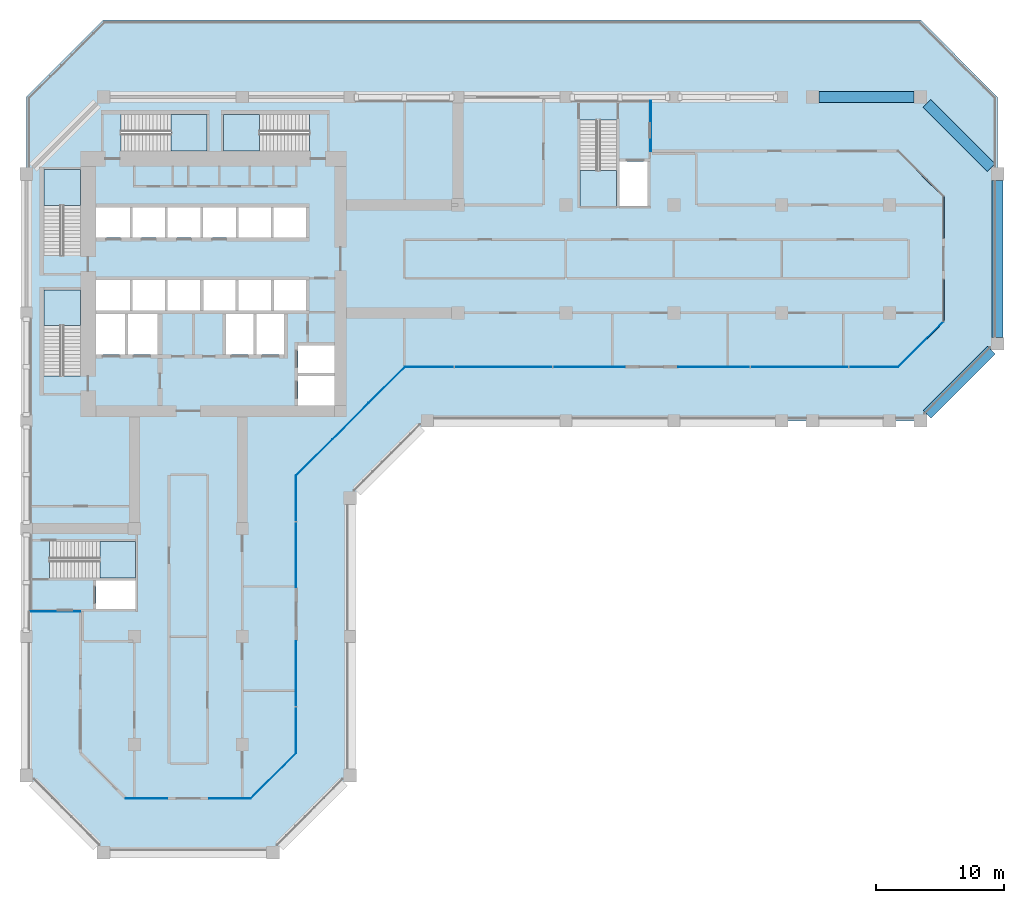
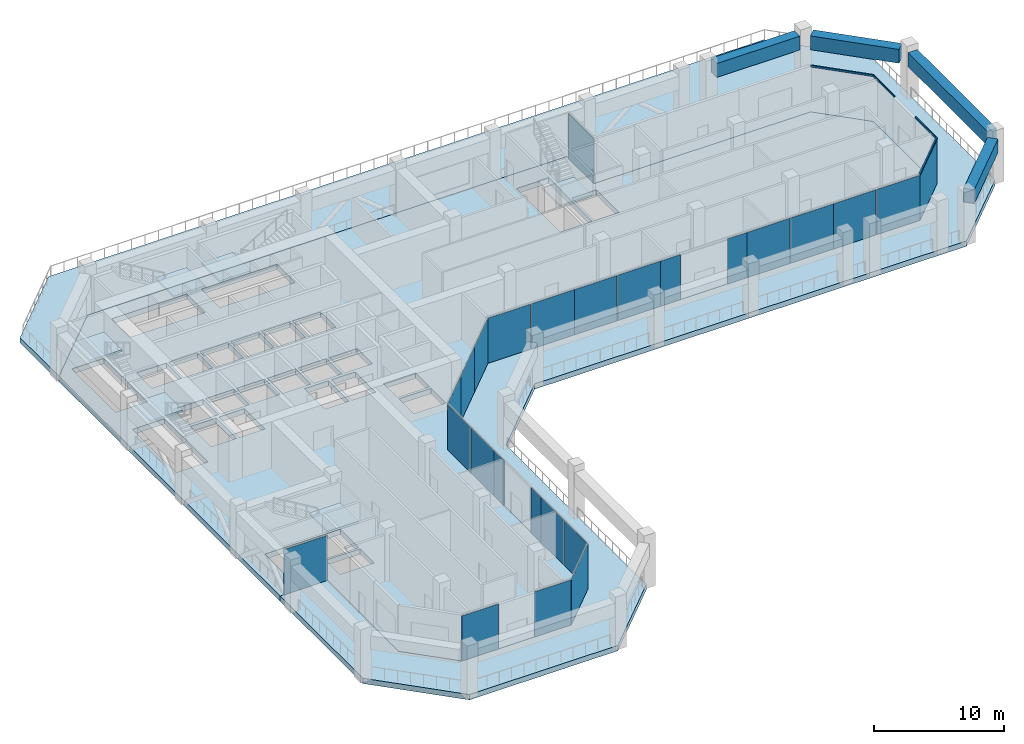
# One storey, part 5 of 19: 25 plates, 8 slabs, 4 beams, 4 members, 16 elements without a shape of their own.
"""IFC4 building model written with IfcOpenShell, lengths in metres."""

from ifc_helpers import new_model, si_unit, direction, frame, origin, origin_2d, place, context, subcontext, project, spatial, polyline, rectangle, outline, extrude, material, layer, layer_set, material_profile, profile_set, type_object, element, aggregate, save


model = new_model("IFC4")

# Units and contexts
model_context = context("Model", 3, precision=1e-05, world=origin(), true_north=direction((0.0, 1.0)))
body_context = subcontext(model_context, "Body", "Model", "MODEL_VIEW")
ifc_project = project(units=[si_unit("LENGTHUNIT", "METRE"), si_unit("AREAUNIT", "SQUARE_METRE"), si_unit("VOLUMEUNIT", "CUBIC_METRE"), si_unit("PLANEANGLEUNIT", "RADIAN"), si_unit("MASSUNIT", "GRAM", prefix="KILO")], contexts=[model_context])

# Site, building, storey
site_placement = place(None, origin())
site = spatial("IfcSite", under=ifc_project, at=site_placement, CompositionType="ELEMENT")
building_placement = place(site_placement, origin())
building = spatial("IfcBuilding", under=site, at=building_placement, Name="Kawkab Arch Medical Tower", CompositionType="ELEMENT")
storey_placement = place(building_placement, frame((0.0, 0.0, 153.39990234375)))
storey = spatial("IfcBuildingStorey", under=building, at=storey_placement, Name="L35", CompositionType="ELEMENT", Elevation=153.39990234375)

# Curtain wall, member
ifc_material_1 = material(Name="Bronze anodised aluminium curtain wall frame", Category="aluminium")
ifc_layer_1 = layer(ifc_material_1, 0.159912109375)
ifc_layer_set_1 = layer_set([ifc_layer_1], Name="Bronze anodised aluminium curtain wall frame")
curtain_wall_type = type_object("IfcCurtainWallType", Name="CW4 refuge floor fire-protected glazing", PredefinedType="NOTDEFINED", material=ifc_layer_set_1)
placement_1 = place(storey_placement, origin())
curtain_wall_1 = element("IfcCurtainWall", 1, at=placement_1, inside=storey, type_object=curtain_wall_type, Name="CW4 Refuge floor fire-protected glazing R12", PredefinedType="NOTDEFINED")
ifc_material_2 = material(Name="Bronze anodised aluminium curtain wall frame", Category="aluminium")
ifc_material_profile_1 = material_profile(ifc_material_2, rectangle(XDim=0.080078125, YDim=0.159912109375, at=origin_2d()), Name="AL 80x160")
ifc_profile_set_1 = profile_set([ifc_material_profile_1], Name="Bronze anodised aluminium curtain wall frame")
member_type = type_object("IfcMemberType", Name="CW4 transom 160 x 80", PredefinedType="USERDEFINED", material=ifc_profile_set_1)
member_1_placement = place(storey_placement, frame((67.860107421875, -21.0, 4.320068359375), z_axis=(0.707082396933, 0.707131164599, 0.0), x_axis=(-0.707131164599, 0.707082396933, 0.0)))
member_1 = element("IfcMember", 2, at=member_1_placement, type_object=member_type, Name="CW4 transom 1", ObjectType="TRANSOM", PredefinedType="USERDEFINED", context=body_context, shape_type="SweptSolid", body=[
    extrude(rectangle(XDim=0.080078125, YDim=0.159912109375, at=origin_2d()), origin(), (0.0, 0.0, 1.0), 5.006103515625),
])

# Curtain wall, members
curtain_wall_2 = element("IfcCurtainWall", 3, at=placement_1, inside=storey, type_object=curtain_wall_type, Name="CW4 Refuge floor fire-protected glazing R13", PredefinedType="NOTDEFINED")
member_2_placement = place(storey_placement, frame((71.40087890625, -17.4599609375, 4.320068359375), z_axis=(0.0, 1.0, 0.0), x_axis=(-1.0, 0.0, 0.0)))
member_2 = element("IfcMember", 4, at=member_2_placement, type_object=member_type, Name="CW4 transom 1", ObjectType="TRANSOM", PredefinedType="USERDEFINED", context=body_context, shape_type="SweptSolid", body=[
    extrude(rectangle(XDim=0.080078125, YDim=0.159912109375, at=origin_2d()), origin(), (0.0, 0.0, 1.0), 3.239990234375),
])
member_3_placement = place(storey_placement, frame((71.40087890625, -10.97998046875, 4.320068359375), z_axis=(0.0, 1.0, 0.0), x_axis=(-1.0, 0.0, 0.0)))
member_3 = element("IfcMember", 5, at=member_3_placement, type_object=member_type, Name="CW4 transom 3", ObjectType="TRANSOM", PredefinedType="USERDEFINED", context=body_context, shape_type="SweptSolid", body=[
    extrude(rectangle(XDim=0.080078125, YDim=0.159912109375, at=origin_2d()), origin(), (0.0, 0.0, 1.0), 3.239990234375),
])
aggregate(curtain_wall_2, [member_2, member_3])

# Curtain wall, member
curtain_wall_3 = element("IfcCurtainWall", 6, at=placement_1, inside=storey, type_object=curtain_wall_type, Name="CW4 Refuge floor fire-protected glazing R14", PredefinedType="NOTDEFINED")
member_4_placement = place(storey_placement, frame((71.39990234375, -7.739990234375, 4.320068359375), z_axis=(-0.707082396933, 0.707131164599, 0.0), x_axis=(-0.707131164599, -0.707082396933, 0.0)))
member_4 = element("IfcMember", 7, at=member_4_placement, type_object=member_type, Name="CW4 transom 1", ObjectType="TRANSOM", PredefinedType="USERDEFINED", context=body_context, shape_type="SweptSolid", body=[
    extrude(rectangle(XDim=0.080078125, YDim=0.159912109375, at=origin_2d()), origin(), (0.0, 0.0, 1.0), 5.006103515625),
])
aggregate(curtain_wall_3, [member_4])

# Beams
ifc_material_3 = material(Name="Concrete C50/60", Category="concrete")
ifc_material_profile_2 = material_profile(ifc_material_3, rectangle(XDim=0.85009765625, YDim=1.300048828125, at=origin_2d()), Name="RC 850x1300")
ifc_profile_set_2 = profile_set([ifc_material_profile_2], Name="Concrete C50/60")
beam_type = type_object("IfcBeamType", Name="RC 850x1300 beam C50/60", PredefinedType="SPANDREL", material=ifc_profile_set_2)
beam_1_placement = place(storey_placement, frame((61.699951171875, 0.0, 3.75), z_axis=(1.0, 0.0, 0.0), x_axis=(0.0, 1.0, 0.0)))
element("IfcBeam", 8, at=beam_1_placement, inside=storey, type_object=beam_type, Name="Belt beam L35-09", PredefinedType="SPANDREL", context=body_context, shape_type="SweptSolid", body=[
    extrude(rectangle(XDim=0.85009765625, YDim=1.300048828125, at=origin_2d()), origin(), (0.0, 0.0, 1.0), 7.400146484375),
])
beam_2_placement = place(storey_placement, frame((70.10009765625, -0.5, 3.75), z_axis=(0.707106781187, -0.707106781187, 0.0), x_axis=(0.707106781187, 0.707106781187, 0.0)))
element("IfcBeam", 9, at=beam_2_placement, inside=storey, type_object=beam_type, Name="Belt beam L35-10", PredefinedType="SPANDREL", context=body_context, shape_type="SweptSolid", body=[
    extrude(rectangle(XDim=0.85009765625, YDim=1.300048828125, at=origin_2d()), origin(), (0.0, 0.0, 1.0), 7.071044921875),
])
beam_3_placement = place(storey_placement, frame((75.60009765625, -6.5, 3.75), z_axis=(0.0, -1.0, 0.0), x_axis=(1.0, 0.0, 0.0)))
element("IfcBeam", 10, at=beam_3_placement, inside=storey, type_object=beam_type, Name="Belt beam L35-11", PredefinedType="SPANDREL", context=body_context, shape_type="SweptSolid", body=[
    extrude(rectangle(XDim=0.85009765625, YDim=1.300048828125, at=origin_2d()), origin(), (0.0, 0.0, 1.0), 12.199951171875),
])
beam_4_placement = place(storey_placement, frame((75.10009765625, -19.699951171875, 3.75), z_axis=(-0.707106781187, -0.707106781187, 0.0), x_axis=(0.707106781187, -0.707106781187, 0.0)))
element("IfcBeam", 11, at=beam_4_placement, inside=storey, type_object=beam_type, Name="Belt beam L35-12", PredefinedType="SPANDREL", context=body_context, shape_type="SweptSolid", body=[
    extrude(rectangle(XDim=0.85009765625, YDim=1.300048828125, at=origin_2d()), origin(), (0.0, 0.0, 1.0), 7.071044921875),
])

# Curtain wall, plate
curtain_wall_4 = element("IfcCurtainWall", 12, at=placement_1, inside=storey, type_object=curtain_wall_type, Name="CW4 Refuge floor fire-protected glazing R04", PredefinedType="NOTDEFINED")
ifc_material_4 = material(Name="Fire-resisting laminated glass", Category="glass")
ifc_layer_2 = layer(ifc_material_4, 0.0400390625)
ifc_layer_set_2 = layer_set([ifc_layer_2], Name="Fire-resisting laminated glass")
plate_type = type_object("IfcPlateType", Name="CW4 glazing unit 40", PredefinedType="CURTAIN_PANEL", material=ifc_layer_set_2)
plate_1_placement = place(storey_placement, frame((2.25, -40.050048828125, 0.0), z_axis=(0.0, 0.0, 1.0), x_axis=(1.0, 0.0, 0.0)))
plate_1 = element("IfcPlate", 13, at=plate_1_placement, type_object=plate_type, Name="CW4 glazing unit 1.1", PredefinedType="CURTAIN_PANEL", context=body_context, shape_type="SweptSolid", body=[
    extrude(rectangle(XDim=3.89990234375, YDim=0.0400390625, at=origin_2d()), origin(), (0.0, 0.0, 1.0), 4.239990234375),
])
aggregate(curtain_wall_4, [plate_1])

# Curtain wall, plates
curtain_wall_5 = element("IfcCurtainWall", 14, at=placement_1, inside=storey, type_object=curtain_wall_type, Name="CW4 Refuge floor fire-protected glazing R07", PredefinedType="NOTDEFINED")
plate_2_placement = place(storey_placement, frame((9.360107421875, -54.60107421875, 0.0), z_axis=(0.0, 0.0, 1.0), x_axis=(1.0, 0.0, 0.0)))
plate_2 = element("IfcPlate", 15, at=plate_2_placement, type_object=plate_type, Name="CW4 glazing unit 1.1", PredefinedType="CURTAIN_PANEL", context=body_context, shape_type="SweptSolid", body=[
    extrude(rectangle(XDim=3.239990234375, YDim=0.0400390625, at=origin_2d()), origin(), (0.0, 0.0, 1.0), 4.239990234375),
])
plate_3_placement = place(storey_placement, frame((15.840087890625, -54.60107421875, 0.0), z_axis=(0.0, 0.0, 1.0), x_axis=(1.0, 0.0, 0.0)))
plate_3 = element("IfcPlate", 16, at=plate_3_placement, type_object=plate_type, Name="CW4 glazing unit 3.1", PredefinedType="CURTAIN_PANEL", context=body_context, shape_type="SweptSolid", body=[
    extrude(rectangle(XDim=3.239990234375, YDim=0.0400390625, at=origin_2d()), origin(), (0.0, 0.0, 1.0), 4.239990234375),
])
aggregate(curtain_wall_5, [plate_2, plate_3])

# Curtain wall, plate
curtain_wall_6 = element("IfcCurtainWall", 17, at=placement_1, inside=storey, type_object=curtain_wall_type, Name="CW4 Refuge floor fire-protected glazing R08", PredefinedType="NOTDEFINED")
plate_4_placement = place(storey_placement, frame((19.22998046875, -52.830078125, 0.0), z_axis=(0.0, 0.0, 1.0), x_axis=(0.707106781187, 0.707106781187, 0.0)))
plate_4 = element("IfcPlate", 18, at=plate_4_placement, type_object=plate_type, Name="CW4 glazing unit 1.1", PredefinedType="CURTAIN_PANEL", context=body_context, shape_type="SweptSolid", body=[
    extrude(rectangle(XDim=5.00634765625, YDim=0.0400390625, at=origin_2d()), origin(), (0.0, 0.0, 1.0), 4.239990234375),
])
aggregate(curtain_wall_6, [plate_4])

# Curtain wall, plates
curtain_wall_7 = element("IfcCurtainWall", 19, at=placement_1, inside=storey, type_object=curtain_wall_type, Name="CW4 Refuge floor fire-protected glazing R09", PredefinedType="NOTDEFINED")
plate_5_placement = place(storey_placement, frame((21.0, -49.280029296875, 0.0), z_axis=(0.0, 0.0, 1.0), x_axis=(0.0, 1.0, 0.0)))
plate_5 = element("IfcPlate", 20, at=plate_5_placement, type_object=plate_type, Name="CW4 glazing unit 1.1", PredefinedType="CURTAIN_PANEL", context=body_context, shape_type="SweptSolid", body=[
    extrude(rectangle(XDim=3.56005859375, YDim=0.0400390625, at=origin_2d()), origin(), (0.0, 0.0, 1.0), 4.239990234375),
])
plate_6_placement = place(storey_placement, frame((21.0, -45.639892578125, 0.0), z_axis=(0.0, 0.0, 1.0), x_axis=(0.0, 1.0, 0.0)))
plate_6 = element("IfcPlate", 21, at=plate_6_placement, type_object=plate_type, Name="CW4 glazing unit 1.2", PredefinedType="CURTAIN_PANEL", context=body_context, shape_type="SweptSolid", body=[
    extrude(rectangle(XDim=3.56005859375, YDim=0.0400390625, at=origin_2d()), origin(), (0.0, 0.0, 1.0), 4.239990234375),
])
plate_7_placement = place(storey_placement, frame((21.0, -43.110107421875, 0.0), z_axis=(0.0, 0.0, 1.0), x_axis=(0.0, 1.0, 0.0)))
plate_7 = element("IfcPlate", 22, at=plate_7_placement, type_object=plate_type, Name="CW4 glazing unit 2.1", PredefinedType="CURTAIN_PANEL", context=body_context, shape_type="SweptSolid", body=[
    extrude(rectangle(XDim=1.5, YDim=0.0400390625, at=origin_2d()), origin(), (0.0, 0.0, 1.0), 4.239990234375),
])
plate_8_placement = place(storey_placement, frame((21.0, -37.409912109375, 0.0), z_axis=(0.0, 0.0, 1.0), x_axis=(0.0, 1.0, 0.0)))
plate_8 = element("IfcPlate", 23, at=plate_8_placement, type_object=plate_type, Name="CW4 glazing unit 2.3", PredefinedType="CURTAIN_PANEL", context=body_context, shape_type="SweptSolid", body=[
    extrude(rectangle(XDim=1.5, YDim=0.0400390625, at=origin_2d()), origin(), (0.0, 0.0, 1.0), 4.239990234375),
])
plate_9_placement = place(storey_placement, frame((21.0, -34.8798828125, 0.0), z_axis=(0.0, 0.0, 1.0), x_axis=(0.0, 1.0, 0.0)))
plate_9 = element("IfcPlate", 24, at=plate_9_placement, type_object=plate_type, Name="CW4 glazing unit 3.1", PredefinedType="CURTAIN_PANEL", context=body_context, shape_type="SweptSolid", body=[
    extrude(rectangle(XDim=3.56005859375, YDim=0.0400390625, at=origin_2d()), origin(), (0.0, 0.0, 1.0), 4.239990234375),
])
plate_10_placement = place(storey_placement, frame((21.0, -31.239990234375, 0.0), z_axis=(0.0, 0.0, 1.0), x_axis=(0.0, 1.0, 0.0)))
plate_10 = element("IfcPlate", 25, at=plate_10_placement, type_object=plate_type, Name="CW4 glazing unit 3.2", PredefinedType="CURTAIN_PANEL", context=body_context, shape_type="SweptSolid", body=[
    extrude(rectangle(XDim=3.56005859375, YDim=0.0400390625, at=origin_2d()), origin(), (0.0, 0.0, 1.0), 4.239990234375),
])
aggregate(curtain_wall_7, [plate_5, plate_6, plate_7, plate_8, plate_9, plate_10])

curtain_wall_8 = element("IfcCurtainWall", 26, at=placement_1, inside=storey, type_object=curtain_wall_type, Name="CW4 Refuge floor fire-protected glazing R10", PredefinedType="NOTDEFINED")
plate_11_placement = place(storey_placement, frame((22.409912109375, -28.050048828125, 0.0), z_axis=(0.0, 0.0, 1.0), x_axis=(0.707106781187, 0.707106781187, 0.0)))
plate_11 = element("IfcPlate", 27, at=plate_11_placement, type_object=plate_type, Name="CW4 glazing unit 1.1", PredefinedType="CURTAIN_PANEL", context=body_context, shape_type="SweptSolid", body=[
    extrude(rectangle(XDim=3.988037109375, YDim=0.0400390625, at=origin_2d()), origin(), (0.0, 0.0, 1.0), 4.239990234375),
])
plate_12_placement = place(storey_placement, frame((25.22998046875, -25.22998046875, 0.0), z_axis=(0.0, 0.0, 1.0), x_axis=(0.707106781187, 0.707106781187, 0.0)))
plate_12 = element("IfcPlate", 28, at=plate_12_placement, type_object=plate_type, Name="CW4 glazing unit 2.1", PredefinedType="CURTAIN_PANEL", context=body_context, shape_type="SweptSolid", body=[
    extrude(rectangle(XDim=3.988037109375, YDim=0.0400390625, at=origin_2d()), origin(), (0.0, 0.0, 1.0), 4.239990234375),
])
plate_13_placement = place(storey_placement, frame((28.050048828125, -22.409912109375, 0.0), z_axis=(0.0, 0.0, 1.0), x_axis=(0.707106781187, 0.707106781187, 0.0)))
plate_13 = element("IfcPlate", 29, at=plate_13_placement, type_object=plate_type, Name="CW4 glazing unit 3.1", PredefinedType="CURTAIN_PANEL", context=body_context, shape_type="SweptSolid", body=[
    extrude(rectangle(XDim=3.988037109375, YDim=0.0400390625, at=origin_2d()), origin(), (0.0, 0.0, 1.0), 4.239990234375),
])
aggregate(curtain_wall_8, [plate_11, plate_12, plate_13])

curtain_wall_9 = element("IfcCurtainWall", 30, at=placement_1, inside=storey, type_object=curtain_wall_type, Name="CW4 Refuge floor fire-protected glazing R11", PredefinedType="NOTDEFINED")
plate_14_placement = place(storey_placement, frame((31.360107421875, -21.0, 0.0), z_axis=(0.0, 0.0, 1.0), x_axis=(1.0, 0.0, 0.0)))
plate_14 = element("IfcPlate", 31, at=plate_14_placement, type_object=plate_type, Name="CW4 glazing unit 1.1", PredefinedType="CURTAIN_PANEL", context=body_context, shape_type="SweptSolid", body=[
    extrude(rectangle(XDim=3.800048828125, YDim=0.0400390625, at=origin_2d()), origin(), (0.0, 0.0, 1.0), 4.239990234375),
])
plate_15_placement = place(storey_placement, frame((35.239990234375, -21.0, 0.0), z_axis=(0.0, 0.0, 1.0), x_axis=(1.0, 0.0, 0.0)))
plate_15 = element("IfcPlate", 32, at=plate_15_placement, type_object=plate_type, Name="CW4 glazing unit 1.2", PredefinedType="CURTAIN_PANEL", context=body_context, shape_type="SweptSolid", body=[
    extrude(rectangle(XDim=3.800048828125, YDim=0.0400390625, at=origin_2d()), origin(), (0.0, 0.0, 1.0), 4.239990234375),
])
plate_16_placement = place(storey_placement, frame((39.0400390625, -21.0, 0.0), z_axis=(0.0, 0.0, 1.0), x_axis=(1.0, 0.0, 0.0)))
plate_16 = element("IfcPlate", 33, at=plate_16_placement, type_object=plate_type, Name="CW4 glazing unit 2.1", PredefinedType="CURTAIN_PANEL", context=body_context, shape_type="SweptSolid", body=[
    extrude(rectangle(XDim=3.800048828125, YDim=0.0400390625, at=origin_2d()), origin(), (0.0, 0.0, 1.0), 4.239990234375),
])
plate_17_placement = place(storey_placement, frame((42.919921875, -21.0, 0.0), z_axis=(0.0, 0.0, 1.0), x_axis=(1.0, 0.0, 0.0)))
plate_17 = element("IfcPlate", 34, at=plate_17_placement, type_object=plate_type, Name="CW4 glazing unit 2.2", PredefinedType="CURTAIN_PANEL", context=body_context, shape_type="SweptSolid", body=[
    extrude(rectangle(XDim=3.800048828125, YDim=0.0400390625, at=origin_2d()), origin(), (0.0, 0.0, 1.0), 4.239990234375),
])
plate_18_placement = place(storey_placement, frame((45.68994140625, -21.0, 0.0), z_axis=(0.0, 0.0, 1.0), x_axis=(1.0, 0.0, 0.0)))
plate_18 = element("IfcPlate", 35, at=plate_18_placement, type_object=plate_type, Name="CW4 glazing unit 3.1", PredefinedType="CURTAIN_PANEL", context=body_context, shape_type="SweptSolid", body=[
    extrude(rectangle(XDim=1.739990234375, YDim=0.0400390625, at=origin_2d()), origin(), (0.0, 0.0, 1.0), 4.239990234375),
])
plate_19_placement = place(storey_placement, frame((51.6298828125, -21.0, 0.0), z_axis=(0.0, 0.0, 1.0), x_axis=(1.0, 0.0, 0.0)))
plate_19 = element("IfcPlate", 36, at=plate_19_placement, type_object=plate_type, Name="CW4 glazing unit 3.3", PredefinedType="CURTAIN_PANEL", context=body_context, shape_type="SweptSolid", body=[
    extrude(rectangle(XDim=1.739990234375, YDim=0.0400390625, at=origin_2d()), origin(), (0.0, 0.0, 1.0), 4.239990234375),
])
plate_20_placement = place(storey_placement, frame((54.39990234375, -21.0, 0.0), z_axis=(0.0, 0.0, 1.0), x_axis=(1.0, 0.0, 0.0)))
plate_20 = element("IfcPlate", 37, at=plate_20_placement, type_object=plate_type, Name="CW4 glazing unit 4.1", PredefinedType="CURTAIN_PANEL", context=body_context, shape_type="SweptSolid", body=[
    extrude(rectangle(XDim=3.800048828125, YDim=0.0400390625, at=origin_2d()), origin(), (0.0, 0.0, 1.0), 4.239990234375),
])
plate_21_placement = place(storey_placement, frame((58.280029296875, -21.0, 0.0), z_axis=(0.0, 0.0, 1.0), x_axis=(1.0, 0.0, 0.0)))
plate_21 = element("IfcPlate", 38, at=plate_21_placement, type_object=plate_type, Name="CW4 glazing unit 4.2", PredefinedType="CURTAIN_PANEL", context=body_context, shape_type="SweptSolid", body=[
    extrude(rectangle(XDim=3.800048828125, YDim=0.0400390625, at=origin_2d()), origin(), (0.0, 0.0, 1.0), 4.239990234375),
])
plate_22_placement = place(storey_placement, frame((62.080078125, -21.0, 0.0), z_axis=(0.0, 0.0, 1.0), x_axis=(1.0, 0.0, 0.0)))
plate_22 = element("IfcPlate", 39, at=plate_22_placement, type_object=plate_type, Name="CW4 glazing unit 5.1", PredefinedType="CURTAIN_PANEL", context=body_context, shape_type="SweptSolid", body=[
    extrude(rectangle(XDim=3.800048828125, YDim=0.0400390625, at=origin_2d()), origin(), (0.0, 0.0, 1.0), 4.239990234375),
])
plate_23_placement = place(storey_placement, frame((65.9599609375, -21.0, 0.0), z_axis=(0.0, 0.0, 1.0), x_axis=(1.0, 0.0, 0.0)))
plate_23 = element("IfcPlate", 40, at=plate_23_placement, type_object=plate_type, Name="CW4 glazing unit 5.2", PredefinedType="CURTAIN_PANEL", context=body_context, shape_type="SweptSolid", body=[
    extrude(rectangle(XDim=3.800048828125, YDim=0.0400390625, at=origin_2d()), origin(), (0.0, 0.0, 1.0), 4.239990234375),
])
aggregate(curtain_wall_9, [plate_14, plate_15, plate_16, plate_17, plate_18, plate_19, plate_20, plate_21, plate_22, plate_23])

# Plate
plate_24_placement = place(storey_placement, frame((69.6298828125, -19.22998046875, 0.0), z_axis=(0.0, 0.0, 1.0), x_axis=(0.707106781187, 0.707106781187, 0.0)))
plate_24 = element("IfcPlate", 41, at=plate_24_placement, type_object=plate_type, Name="CW4 glazing unit 1.1", PredefinedType="CURTAIN_PANEL", context=body_context, shape_type="SweptSolid", body=[
    extrude(rectangle(XDim=5.00634765625, YDim=0.0400390625, at=origin_2d()), origin(), (0.0, 0.0, 1.0), 4.239990234375),
])

aggregate(curtain_wall_1, [member_1, plate_24])

# Curtain wall, plate
curtain_wall_10 = element("IfcCurtainWall", 42, at=placement_1, inside=storey, type_object=curtain_wall_type, Name="CW4 Refuge floor fire-protected glazing R16", PredefinedType="NOTDEFINED")
plate_25_placement = place(storey_placement, frame((48.60107421875, -2.25, 0.0), z_axis=(0.0, 0.0, 1.0), x_axis=(0.0, 1.0, 0.0)))
plate_25 = element("IfcPlate", 43, at=plate_25_placement, type_object=plate_type, Name="CW4 glazing unit 1.1", PredefinedType="CURTAIN_PANEL", context=body_context, shape_type="SweptSolid", body=[
    extrude(rectangle(XDim=3.89990234375, YDim=0.0400390625, at=origin_2d()), origin(), (0.0, 0.0, 1.0), 4.239990234375),
])
aggregate(curtain_wall_10, [plate_25])

# Stair, slab
ifc_material_5 = material(Name="Concrete C40/50", Category="concrete")
stair_type = type_object("IfcStairType", Name="Exit stair 1350", PredefinedType="HALF_TURN_STAIR", material=ifc_material_5)
stair_1 = element("IfcStair", 44, at=placement_1, inside=storey, type_object=stair_type, Name="L35 Exit stair ST1", PredefinedType="HALF_TURN_STAIR")
ifc_material_6 = material(Name="Concrete C40/50", Category="concrete")
ifc_layer_3 = layer(ifc_material_6, 0.199951171875)
ifc_layer_set_3 = layer_set([ifc_layer_3], Name="Concrete C40/50")
slab_type_1 = type_object("IfcSlabType", Name="Exit stair landing 200", PredefinedType="LANDING", material=ifc_layer_set_3)
placement_2 = place(storey_placement, frame((0.0, 0.0, 2.300048828125)))
slab_1 = element("IfcSlab", 45, at=placement_2, type_object=slab_type_1, Name="ST1 landing 1", PredefinedType="LANDING", context=body_context, shape_type="SweptSolid", body=[
    extrude(outline(polyline([(4.199951171875, -8.429931640625), (4.199951171875, -5.64990234375), (1.35009765625, -5.64990234375), (1.35009765625, -8.429931640625), (4.199951171875, -8.429931640625)])), origin(), (0.0, 0.0, 1.0), 0.199951171875),
])
aggregate(stair_1, [slab_1])

stair_2 = element("IfcStair", 46, at=placement_1, inside=storey, type_object=stair_type, Name="L35 Exit stair ST2", PredefinedType="HALF_TURN_STAIR")
slab_2 = element("IfcSlab", 47, at=placement_2, type_object=slab_type_1, Name="ST2 landing 1", PredefinedType="LANDING", context=body_context, shape_type="SweptSolid", body=[
    extrude(outline(polyline([(4.199951171875, -17.780029296875), (4.199951171875, -15.0), (1.35009765625, -15.0), (1.35009765625, -17.780029296875), (4.199951171875, -17.780029296875)])), origin(), (0.0, 0.0, 1.0), 0.199951171875),
])
aggregate(stair_2, [slab_2])

stair_3 = element("IfcStair", 48, at=placement_1, inside=storey, type_object=stair_type, Name="L35 Exit stair ST3", PredefinedType="HALF_TURN_STAIR")
slab_3 = element("IfcSlab", 49, at=placement_2, type_object=slab_type_1, Name="ST3 landing 1", PredefinedType="LANDING", context=body_context, shape_type="SweptSolid", body=[
    extrude(outline(polyline([(11.27001953125, -4.199951171875), (14.050048828125, -4.199951171875), (14.050048828125, -1.35009765625), (11.27001953125, -1.35009765625), (11.27001953125, -4.199951171875)])), origin(), (0.0, 0.0, 1.0), 0.199951171875),
])
aggregate(stair_3, [slab_3])

stair_4 = element("IfcStair", 50, at=placement_1, inside=storey, type_object=stair_type, Name="L35 Exit stair ST4", PredefinedType="HALF_TURN_STAIR")
slab_4 = element("IfcSlab", 51, at=placement_2, type_object=slab_type_1, Name="ST4 landing 1", PredefinedType="LANDING", context=body_context, shape_type="SweptSolid", body=[
    extrude(outline(polyline([(18.1298828125, -1.35009765625), (15.35009765625, -1.35009765625), (15.35009765625, -4.199951171875), (18.1298828125, -4.199951171875), (18.1298828125, -1.35009765625)])), origin(), (0.0, 0.0, 1.0), 0.199951171875),
])
aggregate(stair_4, [slab_4])

stair_5 = element("IfcStair", 52, at=placement_1, inside=storey, type_object=stair_type, Name="L35 Exit stair ST5", PredefinedType="HALF_TURN_STAIR")
slab_5 = element("IfcSlab", 53, at=placement_2, type_object=slab_type_1, Name="ST5 landing 1", PredefinedType="LANDING", context=body_context, shape_type="SweptSolid", body=[
    extrude(outline(polyline([(43.10009765625, -5.719970703125), (43.10009765625, -8.5), (45.949951171875, -8.5), (45.949951171875, -5.719970703125), (43.10009765625, -5.719970703125)])), origin(), (0.0, 0.0, 1.0), 0.199951171875),
])
aggregate(stair_5, [slab_5])

stair_6 = element("IfcStair", 54, at=placement_1, inside=storey, type_object=stair_type, Name="L35 Exit stair ST6", PredefinedType="HALF_TURN_STAIR")
slab_6 = element("IfcSlab", 55, at=placement_2, type_object=slab_type_1, Name="ST6 landing 1", PredefinedType="LANDING", context=body_context, shape_type="SweptSolid", body=[
    extrude(outline(polyline([(5.719970703125, -37.449951171875), (8.5, -37.449951171875), (8.5, -34.60009765625), (5.719970703125, -34.60009765625), (5.719970703125, -37.449951171875)])), origin(), (0.0, 0.0, 1.0), 0.199951171875),
])
aggregate(stair_6, [slab_6])

# Slabs
ifc_material_7 = material(Name="Concrete C45/55", Category="concrete")
ifc_layer_4 = layer(ifc_material_7, 0.5)
ifc_layer_set_4 = layer_set([ifc_layer_4], Name="Concrete C45/55")
slab_type_2 = type_object("IfcSlabType", Name="Refuge terrace slab 500", PredefinedType="FLOOR", material=ifc_layer_set_4)
placement_3 = place(storey_placement, frame((0.0, 0.0, -0.5)))
element("IfcSlab", 56, at=placement_3, inside=storey, type_object=slab_type_2, Name="Refuge terrace slab L35.1", PredefinedType="FLOOR", context=body_context, shape_type="SweptSolid", body=[
    extrude(outline(polyline([(0.0, -40.050048828125), (0.0, -40.050048828125), (4.199951171875, -40.050048828125), (4.199951171875, -40.050048828125), (4.199951171875, -40.050048828125), (4.199951171875, -51.06005859375), (7.739990234375, -54.60009765625), (7.740966796875, -54.60107421875), (17.458984375, -54.60107421875), (17.4599609375, -54.60009765625), (21.0, -51.06005859375), (21.0, -29.4599609375), (21.0, -29.4599609375), (21.0, -29.4599609375), (29.4599609375, -21.0), (29.4599609375, -21.0), (29.4599609375, -21.0), (67.860107421875, -21.0), (71.39990234375, -17.4599609375), (71.40087890625, -17.458984375), (71.40087890625, -7.740966796875), (71.39990234375, -7.739990234375), (67.860107421875, -4.199951171875), (48.60107421875, -4.199951171875), (48.60107421875, -4.199951171875), (48.60107421875, -4.199951171875), (48.60107421875, 0.0009765625), (6.0009765625, 0.0009765625), (6.0, 0.0), (0.01708984375, -5.98193359375), (0.01611328125, -5.98291015625), (0.014892578125, -5.98388671875), (0.014892578125, -5.98388671875), (0.013916015625, -5.98388671875), (0.012939453125, -5.985107421875), (0.012939453125, -5.985107421875), (0.012939453125, -5.985107421875), (0.007080078125, -5.985107421875), (0.007080078125, -5.985107421875), (0.007080078125, -5.985107421875), (0.006103515625, -5.98388671875), (0.0048828125, -5.98388671875), (0.0048828125, -5.98388671875), (0.00390625, -5.98291015625), (0.0029296875, -5.98193359375), (0.001953125, -5.98095703125), (0.0009765625, -5.97998046875), (0.0009765625, -5.97998046875), (0.0009765625, -5.97900390625), (0.0, -5.97802734375), (0.0, -5.97802734375), (0.0, -5.97802734375), (0.0, -0.0009765625), (0.0, -0.0009765625), (0.0, -0.0009765625), (0.0009765625, 0.0), (0.0009765625, 0.0009765625), (0.001953125, 0.0009765625), (0.001953125, 0.001953125), (0.001953125, 0.001953125), (5.998046875, 5.998046875), (5.998046875, 5.998046875), (5.9990234375, 5.998046875), (5.9990234375, 5.9990234375), (6.0, 5.9990234375), (6.0009765625, 6.0), (6.0009765625, 6.0), (6.0009765625, 6.0), (69.59912109375, 6.0), (69.59912109375, 6.0), (69.59912109375, 6.0), (69.60009765625, 5.9990234375), (69.60107421875, 5.9990234375), (69.60107421875, 5.998046875), (69.60205078125, 5.998046875), (69.60205078125, 5.998046875), (69.60302734375, 5.9970703125), (75.596923828125, 0.0029296875), (75.597900390625, 0.001953125), (75.597900390625, 0.001953125), (75.597900390625, 0.0009765625), (75.59912109375, 0.0009765625), (75.59912109375, 0.0), (75.60009765625, -0.0009765625), (75.60009765625, -0.0009765625), (75.60009765625, -0.0009765625), (75.60009765625, -5.97802734375), (75.60009765625, -5.97802734375), (75.60009765625, -5.97802734375), (75.59912109375, -5.97900390625), (75.59912109375, -5.97998046875), (75.59912109375, -5.97998046875), (75.597900390625, -5.98095703125), (75.596923828125, -5.98193359375), (75.595947265625, -5.98291015625), (75.594970703125, -5.98388671875), (75.594970703125, -5.98388671875), (75.593994140625, -5.98388671875), (75.593017578125, -5.985107421875), (75.593017578125, -5.985107421875), (75.593017578125, -5.985107421875), (75.5849609375, -5.985107421875), (75.60009765625, -6.0), (75.60009765625, -6.0), (75.60009765625, -6.0), (75.60009765625, -19.199951171875), (75.60009765625, -19.199951171875), (75.60009765625, -19.199951171875), (69.60009765625, -25.199951171875), (69.60009765625, -25.199951171875), (69.60009765625, -25.199951171875), (31.199951171875, -25.199951171875), (25.199951171875, -31.199951171875), (25.199951171875, -52.800048828125), (25.199951171875, -52.800048828125), (25.199951171875, -52.800048828125), (19.199951171875, -58.800048828125), (19.199951171875, -58.800048828125), (19.199951171875, -58.800048828125), (6.0, -58.800048828125), (6.0, -58.800048828125), (6.0, -58.800048828125), (0.0, -52.800048828125), (0.0, -52.800048828125), (0.0, -52.800048828125), (0.0, -40.050048828125), (0.0, -40.050048828125)])), origin(), (0.0, 0.0, 1.0), 0.5),
])
ifc_material_8 = material(Name="Concrete C45/55", Category="concrete")
ifc_layer_5 = layer(ifc_material_8, 0.5)
ifc_layer_set_5 = layer_set([ifc_layer_5], Name="Concrete C45/55")
slab_type_3 = type_object("IfcSlabType", Name="Transfer plate 500 C45/55", PredefinedType="FLOOR", material=ifc_layer_set_5)
element("IfcSlab", 57, at=placement_3, inside=storey, type_object=slab_type_3, Name="Floor slab L35", PredefinedType="FLOOR", context=body_context, shape_type="SweptSolid", body=[
    extrude(outline(polyline([(48.60107421875, 0.0), (48.60107421875, -0.300048828125), (48.60107421875, -4.199951171875), (67.860107421875, -4.199951171875), (71.39990234375, -7.739990234375), (71.40087890625, -7.739990234375), (71.40087890625, -17.4599609375), (71.39990234375, -17.4599609375), (67.860107421875, -21.0), (29.4599609375, -21.0), (21.0, -29.4599609375), (21.0, -51.06005859375), (17.4599609375, -54.60009765625), (17.4599609375, -54.60107421875), (7.739990234375, -54.60107421875), (7.739990234375, -54.60009765625), (4.199951171875, -51.06005859375), (4.199951171875, -40.050048828125), (0.300048828125, -40.050048828125), (0.0, -40.050048828125), (0.0, -6.0), (6.0, 0.0), (48.60107421875, 0.0)]), holes=[polyline([(5.425048828125, -37.64990234375), (5.425048828125, -39.85009765625), (8.5, -39.85009765625), (8.5, -37.64990234375), (5.425048828125, -37.64990234375)]), polyline([(1.800048828125, -37.449951171875), (8.5, -37.449951171875), (8.5, -34.60009765625), (1.800048828125, -34.60009765625), (1.800048828125, -37.449951171875)]), polyline([(5.39990234375, -16.89990234375), (5.39990234375, -20.050048828125), (7.675048828125, -20.050048828125), (7.675048828125, -16.89990234375), (5.39990234375, -16.89990234375)]), polyline([(10.199951171875, -16.89990234375), (7.925048828125, -16.89990234375), (7.925048828125, -20.050048828125), (10.199951171875, -20.050048828125), (10.199951171875, -16.89990234375)]), polyline([(4.199951171875, -21.699951171875), (4.199951171875, -15.0), (1.35009765625, -15.0), (1.35009765625, -21.699951171875), (4.199951171875, -21.699951171875)]), polyline([(5.39990234375, -14.25), (5.39990234375, -16.60009765625), (8.050048828125, -16.60009765625), (8.050048828125, -14.25), (5.39990234375, -14.25)]), polyline([(8.25, -14.25), (8.25, -16.60009765625), (10.800048828125, -16.60009765625), (10.800048828125, -14.25), (8.25, -14.25)]), polyline([(13.52490234375, -16.60009765625), (13.52490234375, -14.25), (11.0, -14.25), (11.0, -16.60009765625), (13.52490234375, -16.60009765625)]), polyline([(5.39990234375, -8.60009765625), (5.39990234375, -10.949951171875), (8.050048828125, -10.949951171875), (8.050048828125, -8.60009765625), (5.39990234375, -8.60009765625)]), polyline([(8.25, -8.60009765625), (8.25, -10.949951171875), (10.800048828125, -10.949951171875), (10.800048828125, -8.60009765625), (8.25, -8.60009765625)]), polyline([(13.550048828125, -8.60009765625), (11.0, -8.60009765625), (11.0, -10.949951171875), (13.550048828125, -10.949951171875), (13.550048828125, -8.60009765625)]), polyline([(4.199951171875, -12.35009765625), (4.199951171875, -5.64990234375), (1.35009765625, -5.64990234375), (1.35009765625, -12.35009765625), (4.199951171875, -12.35009765625)]), polyline([(7.35009765625, -4.199951171875), (14.050048828125, -4.199951171875), (14.050048828125, -1.35009765625), (7.35009765625, -1.35009765625), (7.35009765625, -4.199951171875)]), polyline([(24.0, -21.72509765625), (21.14990234375, -21.72509765625), (21.14990234375, -24.0), (24.0, -24.0), (24.0, -21.72509765625)]), polyline([(24.0, -21.47509765625), (24.0, -19.35009765625), (21.14990234375, -19.35009765625), (21.14990234375, -21.47509765625), (24.0, -21.47509765625)]), polyline([(17.675048828125, -16.89990234375), (15.52490234375, -16.89990234375), (15.52490234375, -20.050048828125), (17.675048828125, -20.050048828125), (17.675048828125, -16.89990234375)]), polyline([(17.925048828125, -20.050048828125), (20.050048828125, -20.050048828125), (20.050048828125, -16.89990234375), (17.925048828125, -16.89990234375), (17.925048828125, -20.050048828125)]), polyline([(16.27490234375, -16.60009765625), (16.27490234375, -14.25), (13.77490234375, -14.25), (13.77490234375, -16.60009765625), (16.27490234375, -16.60009765625)]), polyline([(16.52490234375, -14.25), (16.52490234375, -16.60009765625), (19.02490234375, -16.60009765625), (19.02490234375, -14.25), (16.52490234375, -14.25)]), polyline([(19.27490234375, -14.25), (19.27490234375, -16.60009765625), (21.75, -16.60009765625), (21.75, -14.25), (19.27490234375, -14.25)]), polyline([(16.300048828125, -8.60009765625), (13.75, -8.60009765625), (13.75, -10.949951171875), (16.300048828125, -10.949951171875), (16.300048828125, -8.60009765625)]), polyline([(16.5, -10.949951171875), (19.050048828125, -10.949951171875), (19.050048828125, -8.60009765625), (16.5, -8.60009765625), (16.5, -10.949951171875)]), polyline([(19.25, -8.60009765625), (19.25, -10.949951171875), (21.75, -10.949951171875), (21.75, -8.60009765625), (19.25, -8.60009765625)]), polyline([(46.14990234375, -5.02490234375), (46.14990234375, -8.5), (48.35009765625, -8.5), (48.35009765625, -5.02490234375), (46.14990234375, -5.02490234375)]), polyline([(43.10009765625, -1.800048828125), (43.10009765625, -8.5), (45.949951171875, -8.5), (45.949951171875, -1.800048828125), (43.10009765625, -1.800048828125)]), polyline([(22.050048828125, -1.35009765625), (15.35009765625, -1.35009765625), (15.35009765625, -4.199951171875), (22.050048828125, -4.199951171875), (22.050048828125, -1.35009765625)])]), origin(), (0.0, 0.0, 1.0), 0.5),
])

save(model, "model.ifc")
